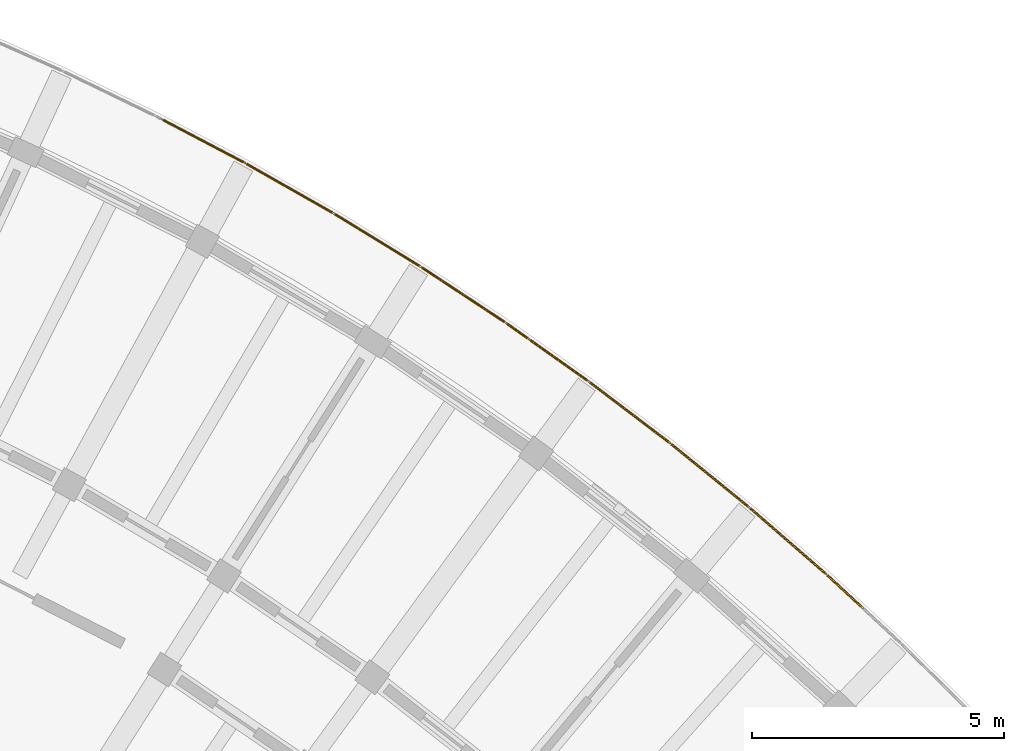
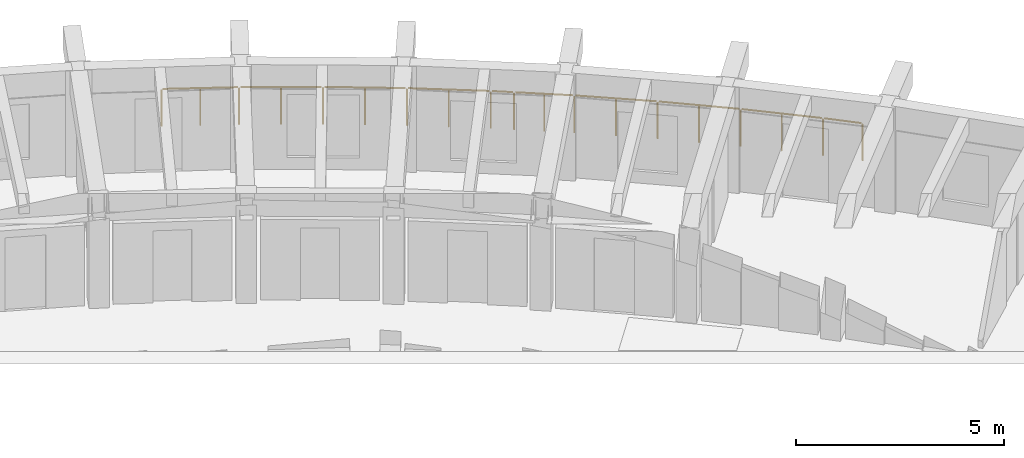
# One storey, part 41 of 41: 2 railings.
"""IFC4 building model written with IfcOpenShell, lengths in metres."""

from ifc_helpers import new_model, si_unit, direction, frame, origin, origin_2d, place, context, subcontext, project, spatial, circle, extrude, material, type_object, element, save


model = new_model("IFC4")

# Units and contexts
model_context = context("Model", 3, precision=1e-05, world=origin(), true_north=direction((0.0, 1.0)))
body_context = subcontext(model_context, "Body", "Model", "MODEL_VIEW")
ifc_project = project(units=[si_unit("LENGTHUNIT", "METRE"), si_unit("AREAUNIT", "SQUARE_METRE"), si_unit("VOLUMEUNIT", "CUBIC_METRE"), si_unit("PLANEANGLEUNIT", "RADIAN"), si_unit("MASSUNIT", "GRAM", prefix="KILO")], contexts=[model_context])

# Site, building, storey
site_placement = place(None, origin())
site = spatial("IfcSite", under=ifc_project, at=site_placement, CompositionType="ELEMENT")
building_placement = place(site_placement, origin())
building = spatial("IfcBuilding", under=site, at=building_placement, Name="Tanwirah Colonnade Gardens", CompositionType="ELEMENT")
storey_placement = place(building_placement, frame((0.0, 0.0, 35.719970703125)))
storey = spatial("IfcBuildingStorey", under=building, at=storey_placement, Name="L10", CompositionType="ELEMENT", Elevation=35.719970703125)

# Railings
ifc_material = material(Name="Precast concrete C40/50", Category="concrete")
railing_type = type_object("IfcRailingType", Name="BAL-EXT112", PredefinedType="BALUSTRADE", material=ifc_material)
railing_1_placement = place(storey_placement, frame((148.760009765625, 114.8740234375, 0.0)))
element("IfcRailing", 1, at=railing_1_placement, inside=storey, type_object=railing_type, Name="Block B L10 Balcony Ribbon Balustrade 11", PredefinedType="BALUSTRADE", context=body_context, shape_type="SweptSolid", body=[
    extrude(circle(Radius=0.02392578125, at=origin_2d()), frame((0.027587890625, -0.0146484375, 1.09619140625), z_axis=(0.885187002783, -0.465235392145, 0.0), x_axis=(0.465235392145, 0.885187002783, 0.0)), (0.0, 0.0, 1.0), 1.808349609375),
    extrude(circle(Radius=0.02392578125, at=origin_2d()), frame((1.68310546875, -0.8857421875, 1.09619140625), z_axis=(0.869392881113, -0.494121461049, 0.0), x_axis=(0.494121461049, 0.869392881113, 0.0)), (0.0, 0.0, 1.0), 1.958740234375),
    extrude(circle(Radius=0.02392578125, at=origin_2d()), frame((3.43994140625, -1.885498046875, 1.09619140625), z_axis=(0.852660263329, -0.522465764754, 0.0), x_axis=(0.522465764754, 0.852660263329, 0.0)), (0.0, 0.0, 1.0), 1.958984375),
    extrude(circle(Radius=0.02392578125, at=origin_2d()), frame((5.1630859375, -2.9423828125, 1.09619140625), z_axis=(0.834955682369, -0.550317188973, 0.0), x_axis=(0.550317188973, 0.834955682369, 0.0)), (0.0, 0.0, 1.0), 1.959228515625),
    extrude(circle(Radius=0.02392578125, at=origin_2d()), frame((6.8505859375, -4.055908203125, 1.09619140625), z_axis=(0.816296302971, -0.577633400831, 0.0), x_axis=(0.577633400831, 0.816296302971, 0.0)), (0.0, 0.0, 1.0), 0.502197265625),
    extrude(circle(Radius=0.02099609375, at=origin_2d()), origin(), (0.0, 0.0, 1.0), 1.069091796875),
    extrude(circle(Radius=0.02099609375, at=origin_2d()), frame((0.828125, -0.43505859375, 0.0)), (0.0, 0.0, 1.0), 1.069091796875),
    extrude(circle(Radius=0.02099609375, at=origin_2d()), frame((1.656005859375, -0.870361328125, 0.0)), (0.0, 0.0, 1.0), 1.069091796875),
    extrude(circle(Radius=0.02099609375, at=origin_2d()), frame((2.53466796875, -1.36962890625, 0.0)), (0.0, 0.0, 1.0), 1.069091796875),
    extrude(circle(Radius=0.02099609375, at=origin_2d()), frame((3.413330078125, -1.869140625, 0.0)), (0.0, 0.0, 1.0), 1.069091796875),
    extrude(circle(Radius=0.02099609375, at=origin_2d()), frame((4.275146484375, -2.397216796875, 0.0)), (0.0, 0.0, 1.0), 1.069091796875),
    extrude(circle(Radius=0.02099609375, at=origin_2d()), frame((5.136962890625, -2.92529296875, 0.0)), (0.0, 0.0, 1.0), 1.069091796875),
    extrude(circle(Radius=0.02099609375, at=origin_2d()), frame((5.98095703125, -3.4814453125, 0.0)), (0.0, 0.0, 1.0), 1.069091796875),
    extrude(circle(Radius=0.02099609375, at=origin_2d()), frame((6.824951171875, -4.037841796875, 0.0)), (0.0, 0.0, 1.0), 1.069091796875),
    extrude(circle(Radius=0.02099609375, at=origin_2d()), frame((7.285888671875, -4.364013671875, 0.0)), (0.0, 0.0, 1.0), 1.069091796875),
])
railing_2_placement = place(storey_placement, frame((156.0458984375, 110.510009765625, 0.0)))
element("IfcRailing", 2, at=railing_2_placement, inside=storey, type_object=railing_type, Name="Block B L10 Balcony Ribbon Balustrade 12", PredefinedType="BALUSTRADE", context=body_context, shape_type="SweptSolid", body=[
    extrude(circle(Radius=0.02392578125, at=origin_2d()), frame((0.025634765625, -0.01806640625, 1.09619140625), z_axis=(0.816363602795, -0.577538282741, 0.0), x_axis=(0.577538282741, 0.816363602795, 0.0)), (0.0, 0.0, 1.0), 1.394287109375),
    extrude(circle(Radius=0.02392578125, at=origin_2d()), frame((1.214111328125, -0.860107421875, 1.09619140625), z_axis=(0.796887753746, -0.604127393792, 0.0), x_axis=(0.604127393792, 0.796887753746, 0.0)), (0.0, 0.0, 1.0), 1.958984375),
    extrude(circle(Radius=0.02392578125, at=origin_2d()), frame((2.82421875, -2.082275390625, 1.09619140625), z_axis=(0.776549722569, -0.630055972417, 0.0), x_axis=(0.630055972417, 0.776549722569, 0.0)), (0.0, 0.0, 1.0), 1.958984375),
    extrude(circle(Radius=0.02392578125, at=origin_2d()), frame((4.3935546875, -3.356689453125, 1.09619140625), z_axis=(0.755338292497, -0.655335077565, 0.0), x_axis=(0.655335077565, 0.755338292497, 0.0)), (0.0, 0.0, 1.0), 1.958984375),
    extrude(circle(Radius=0.02392578125, at=origin_2d()), frame((5.919677734375, -4.68212890625, 1.09619140625), z_axis=(0.733290766369, -0.679915179973, 0.0), x_axis=(0.679915179973, 0.733290766369, 0.0)), (0.0, 0.0, 1.0), 0.916259765625),
    extrude(circle(Radius=0.02099609375, at=origin_2d()), origin(), (0.0, 0.0, 1.0), 1.069091796875),
    extrude(circle(Radius=0.02099609375, at=origin_2d()), frame((0.5947265625, -0.420654296875, 0.0)), (0.0, 0.0, 1.0), 1.069091796875),
    extrude(circle(Radius=0.02099609375, at=origin_2d()), frame((1.189208984375, -0.84130859375, 0.0)), (0.0, 0.0, 1.0), 1.069091796875),
    extrude(circle(Radius=0.02099609375, at=origin_2d()), frame((1.99462890625, -1.451904296875, 0.0)), (0.0, 0.0, 1.0), 1.069091796875),
    extrude(circle(Radius=0.02099609375, at=origin_2d()), frame((2.800048828125, -2.0625, 0.0)), (0.0, 0.0, 1.0), 1.069091796875),
    extrude(circle(Radius=0.02099609375, at=origin_2d()), frame((3.5849609375, -2.69921875, 0.0)), (0.0, 0.0, 1.0), 1.069091796875),
    extrude(circle(Radius=0.02099609375, at=origin_2d()), frame((4.369873046875, -3.336181640625, 0.0)), (0.0, 0.0, 1.0), 1.069091796875),
    extrude(circle(Radius=0.02099609375, at=origin_2d()), frame((5.13330078125, -3.99853515625, 0.0)), (0.0, 0.0, 1.0), 1.069091796875),
    extrude(circle(Radius=0.02099609375, at=origin_2d()), frame((5.896728515625, -4.660888671875, 0.0)), (0.0, 0.0, 1.0), 1.069091796875),
    extrude(circle(Radius=0.02099609375, at=origin_2d()), frame((6.614501953125, -5.326416015625, 0.0)), (0.0, 0.0, 1.0), 1.069091796875),
])

save(model, "model.ifc")
